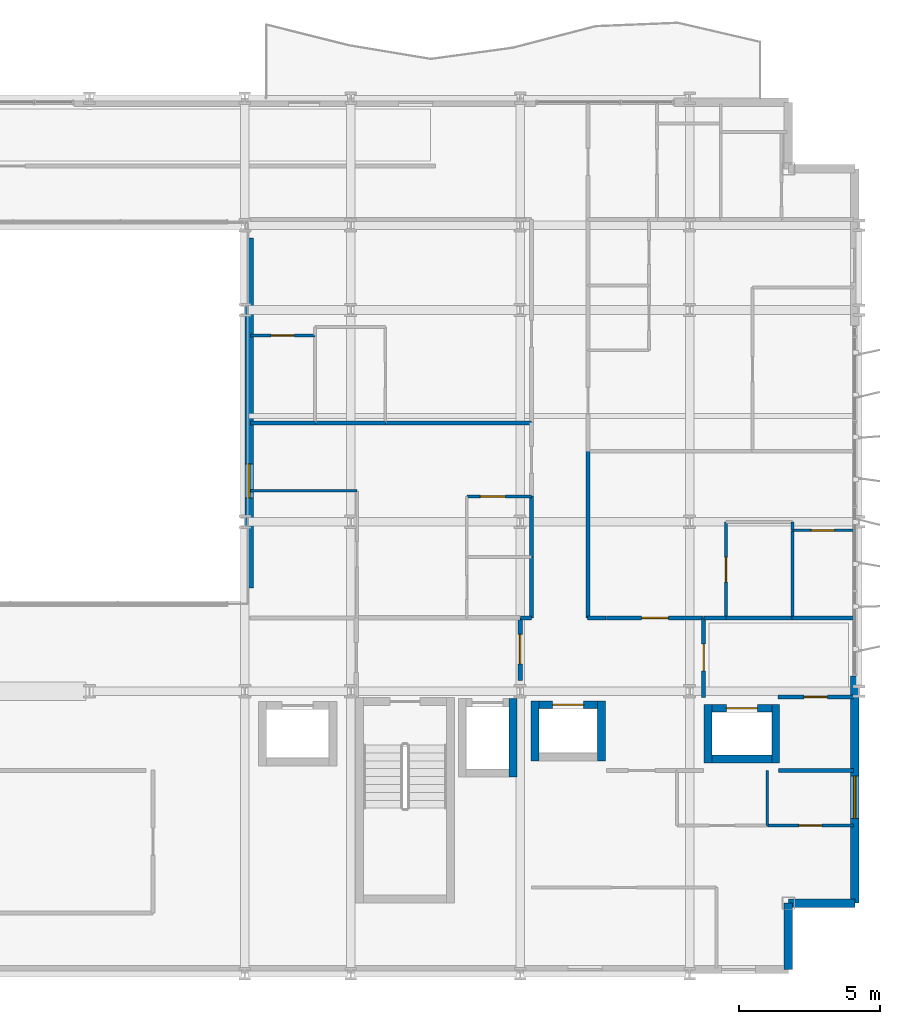
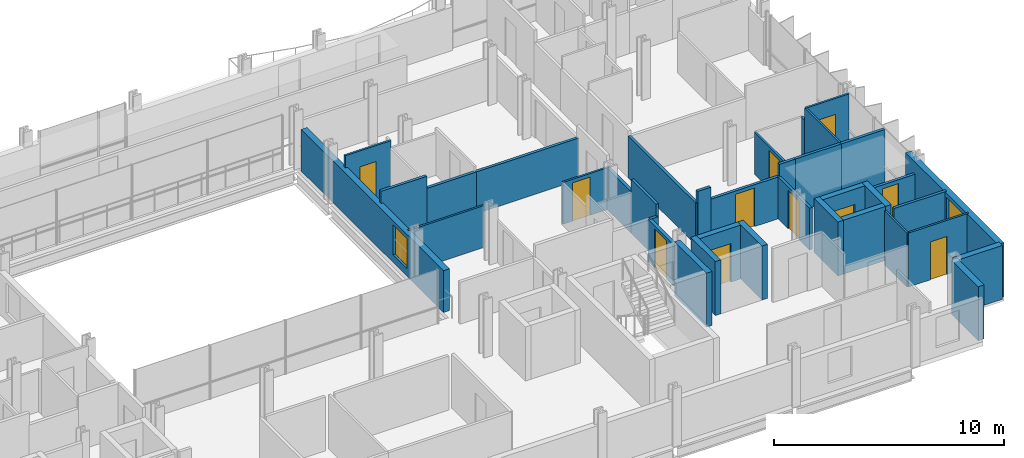
# One storey, part 31 of 38: 37 walls, 11 doors, 2 windows, 13 openings.
"""IFC4 building model written with IfcOpenShell, lengths in metres."""

from ifc_helpers import new_model, si_unit, direction, frame, frame_2d, origin, place, context, subcontext, project, spatial, rectangle, extrude, material, layer, layer_set, type_object, element, fill, save


model = new_model("IFC4")

# Units and contexts
model_context = context("Model", 3, precision=1e-05, world=origin(), true_north=direction((0.0, 1.0)))
body_context = subcontext(model_context, "Body", "Model", "MODEL_VIEW")
ifc_project = project(units=[si_unit("LENGTHUNIT", "METRE"), si_unit("AREAUNIT", "SQUARE_METRE"), si_unit("VOLUMEUNIT", "CUBIC_METRE"), si_unit("PLANEANGLEUNIT", "RADIAN"), si_unit("MASSUNIT", "GRAM", prefix="KILO")], contexts=[model_context])

# Site, building, storey
site_placement = place(None, origin())
site = spatial("IfcSite", under=ifc_project, at=site_placement, CompositionType="ELEMENT")
building_placement = place(site_placement, origin())
building = spatial("IfcBuilding", under=site, at=building_placement, Name="Brevholm Reach", CompositionType="ELEMENT")
storey_placement = place(building_placement, frame((0.0, 0.0, 52.800048828125)))
storey = spatial("IfcBuildingStorey", under=building, at=storey_placement, Name="L14", CompositionType="ELEMENT", Elevation=52.800048828125)

# Walls
ifc_material_1 = material(Name="Concrete C50/60", Category="concrete")
ifc_layer_1 = layer(ifc_material_1, 0.280029296875)
ifc_layer_set_1 = layer_set([ifc_layer_1], Name="Concrete C50/60")
wall_type_1 = type_object("IfcWallType", Name="WAL-COR-280", PredefinedType="SHEAR", material=ifc_layer_set_1)
wall_1_placement = place(storey_placement, frame((47.75, 6.9599609375, 0.0), z_axis=(0.0, 0.0, 1.0), x_axis=(0.0, 1.0, 0.0)))
element("IfcWall", 1, at=wall_1_placement, inside=storey, type_object=wall_type_1, Name="L14 Lift FFL-2 Shaft Wall E", PredefinedType="SHEAR", context=body_context, shape_type="SweptSolid", body=[
    extrude(rectangle(XDim=2.780029296875, YDim=0.280029296875, at=frame_2d((1.39013671875, 0.0))), origin(), (0.0, 0.0, 1.0), 2.869873046875),
])
for number, where, z_axis, x_axis, name in (
    (2, (48.52490234375, 7.534912109375, 0.0), (0.0, 0.0, 1.0), (0.0, 1.0, 0.0), "L14 Lift PL-L1 Shaft Wall W"),
    (3, (50.875, 7.534912109375, 0.0), (0.0, 0.0, 1.0), (0.0, 1.0, 0.0), "L14 Lift PL-L1 Shaft Wall E"),
):
    element("IfcWall", number, at=place(storey_placement, frame(where, z_axis=z_axis, x_axis=x_axis)), inside=storey, type_object=wall_type_1, Name=name, PredefinedType="SHEAR", context=body_context, shape_type="SweptSolid", body=[
        extrude(rectangle(XDim=2.130126953125, YDim=0.280029296875, at=frame_2d((1.06494140625, 0.0))), origin(), (0.0, 0.0, 1.0), 2.869873046875),
    ])

# Wall, opening, door
wall_2_placement = place(storey_placement, frame((48.6650390625, 9.52490234375, 0.0), z_axis=(0.0, 0.0, 1.0), x_axis=(1.0, 0.0, 0.0)))
wall_2 = element("IfcWall", 4, at=wall_2_placement, inside=storey, type_object=wall_type_1, Name="L14 Lift PL-L1 Shaft Wall N", PredefinedType="SHEAR", context=body_context, shape_type="SweptSolid", body=[
    extrude(rectangle(XDim=2.070068359375, YDim=0.280029296875, at=frame_2d((1.03515625, 0.0))), origin(), (0.0, 0.0, 1.0), 2.869873046875),
])
opening_1_placement = place(wall_2_placement, frame((0.485107421875, 0.0, 0.0)))
opening_1 = element("IfcOpeningElement", 5, at=opening_1_placement, cuts=wall_2, Name="Opening LD-PL-L1", PredefinedType="OPENING", context=body_context, shape_type="SweptSolid", body=[
    extrude(rectangle(XDim=1.10009765625, YDim=2.06005859375, at=frame_2d((0.550048828125, 1.030029296875))), frame((0.0, 0.14990234375, 0.0), z_axis=(0.0, -1.0, 0.0), x_axis=(1.0, 0.0, 0.0)), (0.0, 0.0, 1.0), 0.300048828125),
])
ifc_material_2 = material(Name="Brushed Stainless Steel Fire-Rated Sliding Lift Door", Category="steel")
door_type_1 = type_object("IfcDoorType", Name="DOR-LFT-1100", OperationType="NOTDEFINED", PredefinedType="DOOR", material=ifc_material_2)
door_1_placement = place(opening_1_placement, origin())
door_1 = element("IfcDoor", 6, at=door_1_placement, inside=storey, type_object=door_type_1, Name="L14 Lift PL-L1 Sliding Landing Door", OperationType="SLIDING_TO_RIGHT", OverallHeight=2.06005859375, OverallWidth=1.10009765625, PredefinedType="DOOR", context=body_context, shape_type="SweptSolid", body=[
    extrude(rectangle(XDim=1.10009765625, YDim=2.06005859375, at=frame_2d((0.550048828125, 1.030029296875))), frame((0.0, 0.02490234375, 0.0), z_axis=(0.0, -1.0, 0.0), x_axis=(1.0, 0.0, 0.0)), (0.0, 0.0, 1.0), 0.050048828125),
])
fill(opening_1, door_1)

# Walls
for number, where, z_axis, x_axis, name in (
    (7, (54.64990234375, 7.4599609375, 0.0), (0.0, 0.0, 1.0), (0.0, 1.0, 0.0), "L14 Lift PL-L2 Shaft Wall W"),
    (8, (57.050048828125, 7.4599609375, 0.0), (0.0, 0.0, 1.0), (0.0, 1.0, 0.0), "L14 Lift PL-L2 Shaft Wall E"),
):
    element("IfcWall", number, at=place(storey_placement, frame(where, z_axis=z_axis, x_axis=x_axis)), inside=storey, type_object=wall_type_1, Name=name, PredefinedType="SHEAR", context=body_context, shape_type="SweptSolid", body=[
        extrude(rectangle(XDim=2.080078125, YDim=0.280029296875, at=frame_2d((1.0400390625, 0.0))), origin(), (0.0, 0.0, 1.0), 2.869873046875),
    ])
wall_3_placement = place(storey_placement, frame((54.7900390625, 7.60009765625, 0.0), z_axis=(0.0, 0.0, 1.0), x_axis=(1.0, 0.0, 0.0)))
element("IfcWall", 9, at=wall_3_placement, inside=storey, type_object=wall_type_1, Name="L14 Lift PL-L2 Shaft Wall S", PredefinedType="SHEAR", context=body_context, shape_type="SweptSolid", body=[
    extrude(rectangle(XDim=2.119873046875, YDim=0.280029296875, at=frame_2d((1.06005859375, 0.0))), origin(), (0.0, 0.0, 1.0), 2.869873046875),
])

# Wall, opening, door
wall_4_placement = place(storey_placement, frame((54.7900390625, 9.39990234375, 0.0), z_axis=(0.0, 0.0, 1.0), x_axis=(1.0, 0.0, 0.0)))
wall_4 = element("IfcWall", 10, at=wall_4_placement, inside=storey, type_object=wall_type_1, Name="L14 Lift PL-L2 Shaft Wall N", PredefinedType="SHEAR", context=body_context, shape_type="SweptSolid", body=[
    extrude(rectangle(XDim=2.119873046875, YDim=0.280029296875, at=frame_2d((1.06005859375, 0.0))), origin(), (0.0, 0.0, 1.0), 2.869873046875),
])
opening_2_placement = place(wall_4_placement, frame((0.510009765625, 0.0, 0.0)))
opening_2 = element("IfcOpeningElement", 11, at=opening_2_placement, cuts=wall_4, Name="Opening LD-PL-L2", PredefinedType="OPENING", context=body_context, shape_type="SweptSolid", body=[
    extrude(rectangle(XDim=1.10009765625, YDim=2.06005859375, at=frame_2d((0.550048828125, 1.030029296875))), frame((0.0, 0.14990234375, 0.0), z_axis=(0.0, -1.0, 0.0), x_axis=(1.0, 0.0, 0.0)), (0.0, 0.0, 1.0), 0.300048828125),
])
door_2_placement = place(opening_2_placement, origin())
door_2 = element("IfcDoor", 12, at=door_2_placement, inside=storey, type_object=door_type_1, Name="L14 Lift PL-L2 Sliding Landing Door", OperationType="SLIDING_TO_LEFT", OverallHeight=2.06005859375, OverallWidth=1.10009765625, PredefinedType="DOOR", context=body_context, shape_type="SweptSolid", body=[
    extrude(rectangle(XDim=1.10009765625, YDim=2.06005859375, at=frame_2d((0.550048828125, 1.030029296875))), frame((0.0, 0.02490234375, 0.0), z_axis=(0.0, -1.0, 0.0), x_axis=(1.0, 0.0, 0.0)), (0.0, 0.0, 1.0), 0.050048828125),
])
fill(opening_2, door_2)

# Walls
ifc_material_3 = material(Name="Concrete C40/50", Category="concrete")
ifc_layer_2 = layer(ifc_material_3, 0.300048828125)
ifc_layer_set_2 = layer_set([ifc_layer_2], Name="Concrete C40/50")
wall_type_2 = type_object("IfcWallType", Name="WAL-EXT-300", PredefinedType="STANDARD", material=ifc_layer_set_2)
for number, where, z_axis, x_axis, name in (
    (13, (57.5, 0.14990234375, 0.0), (0.0, 0.0, 1.0), (0.0, 1.0, 0.0), "L14 Facade Wall WAL-L14-CSE1"),
    (14, (57.5, 2.5, 0.0), (0.0, 0.0, 1.0), (1.0, 0.0, 0.0), "L14 Facade Wall WAL-L14-CSE2"),
):
    element("IfcWall", number, at=place(storey_placement, frame(where, z_axis=z_axis, x_axis=x_axis)), inside=storey, type_object=wall_type_2, Name=name, PredefinedType="STANDARD", context=body_context, shape_type="SweptSolid", body=[
        extrude(rectangle(XDim=2.35009765625, YDim=0.300048828125, at=frame_2d((1.175048828125, 0.0))), origin(), (0.0, 0.0, 1.0), 2.869873046875),
    ])

# Wall, opening, window
wall_5_placement = place(storey_placement, frame((59.85009765625, 2.5, 0.0), z_axis=(0.0, 0.0, 1.0), x_axis=(0.0, 1.0, 0.0)))
wall_5 = element("IfcWall", 15, at=wall_5_placement, inside=storey, type_object=wall_type_2, Name="L14 Facade Wall WAL-L14-E-S", PredefinedType="STANDARD", context=body_context, shape_type="SweptSolid", body=[
    extrude(rectangle(XDim=8.050048828125, YDim=0.300048828125, at=frame_2d((4.02490234375, 0.0))), origin(), (0.0, 0.0, 1.0), 2.869873046875),
])
opening_3_placement = place(wall_5_placement, frame((3.0, 0.0, 0.85009765625)))
opening_3 = element("IfcOpeningElement", 16, at=opening_3_placement, cuts=wall_5, Name="Opening WN-05", PredefinedType="OPENING", context=body_context, shape_type="SweptSolid", body=[
    extrude(rectangle(XDim=1.5, YDim=1.800048828125, at=frame_2d((0.75, 0.89990234375))), frame((0.0, 0.159912109375, 0.0), z_axis=(0.0, -1.0, 0.0), x_axis=(1.0, 0.0, 0.0)), (0.0, 0.0, 1.0), 0.320068359375),
])
ifc_material_4 = material(Name="Dark Anodised Aluminium and Solar-Control IGU Glass", Category="aluminium")
window_type_1 = type_object("IfcWindowType", Name="WIN-RES-1500", PartitioningType="SINGLE_PANEL", PredefinedType="WINDOW", material=ifc_material_4)
window_1_placement = place(opening_3_placement, origin())
window_1 = element("IfcWindow", 17, at=window_1_placement, inside=storey, type_object=window_type_1, Name="L14 Window WIN-L14-ES-1", OverallHeight=1.800048828125, OverallWidth=1.5, PartitioningType="SINGLE_PANEL", PredefinedType="WINDOW", context=body_context, shape_type="SweptSolid", body=[
    extrude(rectangle(XDim=1.5, YDim=1.800048828125, at=frame_2d((0.75, 0.89990234375))), frame((0.0, 0.030029296875, 0.0), z_axis=(0.0, -1.0, 0.0), x_axis=(1.0, 0.0, 0.0)), (0.0, 0.0, 1.0), 0.06005859375),
])
fill(opening_3, window_1)

wall_6_placement = place(storey_placement, frame((38.39990234375, 13.64990234375, 0.0), z_axis=(0.0, 0.0, 1.0), x_axis=(0.0, 1.0, 0.0)))
wall_6 = element("IfcWall", 18, at=wall_6_placement, inside=storey, type_object=wall_type_2, Name="L14 Facade Wall WAL-L14-AT-E", PredefinedType="STANDARD", context=body_context, shape_type="SweptSolid", body=[
    extrude(rectangle(XDim=12.400146484375, YDim=0.300048828125, at=frame_2d((6.2001953125, 0.0))), origin(), (0.0, 0.0, 1.0), 2.224853515625),
])
opening_4_placement = place(wall_6_placement, frame((3.199951171875, 0.0, 0.405029296875)))
opening_4 = element("IfcOpeningElement", 19, at=opening_4_placement, cuts=wall_6, Name="Opening WN-08", PredefinedType="OPENING", context=body_context, shape_type="SweptSolid", body=[
    extrude(rectangle(XDim=1.199951171875, YDim=1.60009765625, at=frame_2d((0.60009765625, 0.800048828125))), frame((0.0, 0.159912109375, 0.0), z_axis=(0.0, -1.0, 0.0), x_axis=(1.0, 0.0, 0.0)), (0.0, 0.0, 1.0), 0.320068359375),
])
ifc_material_5 = material(Name="Dark Anodised Aluminium and Solar-Control IGU Glass", Category="aluminium")
window_type_2 = type_object("IfcWindowType", Name="WIN-RES-1200", PartitioningType="SINGLE_PANEL", PredefinedType="WINDOW", material=ifc_material_5)
window_2_placement = place(opening_4_placement, origin())
window_2 = element("IfcWindow", 20, at=window_2_placement, inside=storey, type_object=window_type_2, Name="L14 Window WIN-L14-AT-E1", OverallHeight=1.60009765625, OverallWidth=1.199951171875, PartitioningType="SINGLE_PANEL", PredefinedType="WINDOW", context=body_context, shape_type="SweptSolid", body=[
    extrude(rectangle(XDim=1.199951171875, YDim=1.60009765625, at=frame_2d((0.60009765625, 0.800048828125))), frame((0.0, 0.030029296875, 0.0), z_axis=(0.0, -1.0, 0.0), x_axis=(1.0, 0.0, 0.0)), (0.0, 0.0, 1.0), 0.06005859375),
])
fill(opening_4, window_2)

# Wall
ifc_material_6 = material(Name="Moisture-Resistant Acoustic Gypsum Stud Partition 100 mm", Category="gypsum")
ifc_layer_3 = layer(ifc_material_6, 0.10009765625)
ifc_layer_set_3 = layer_set([ifc_layer_3], Name="Moisture-Resistant Acoustic Gypsum Stud Partition 100 mm")
wall_type_3 = type_object("IfcWallType", Name="WAL-PRT-100", PredefinedType="PARTITIONING", material=ifc_layer_set_3)
wall_7_placement = place(storey_placement, frame((56.75, 5.25, 0.0), z_axis=(0.0, 0.0, 1.0), x_axis=(0.0, 1.0, 0.0)))
element("IfcWall", 21, at=wall_7_placement, inside=storey, type_object=wall_type_3, Name="L14 Internal Partition 073", PredefinedType="PARTITIONING", context=body_context, shape_type="SweptSolid", body=[
    extrude(rectangle(XDim=1.949951171875, YDim=0.10009765625, at=frame_2d((0.97509765625, 0.0))), origin(), (0.0, 0.0, 1.0), 2.869873046875),
])

# Wall, opening, door
wall_8_placement = place(storey_placement, frame((56.75, 5.25, 0.0), z_axis=(0.0, 0.0, 1.0), x_axis=(1.0, 0.0, 0.0)))
wall_8 = element("IfcWall", 22, at=wall_8_placement, inside=storey, type_object=wall_type_3, Name="L14 Internal Partition 074", PredefinedType="PARTITIONING", context=body_context, shape_type="SweptSolid", body=[
    extrude(rectangle(XDim=3.050048828125, YDim=0.10009765625, at=frame_2d((1.52490234375, 0.0))), origin(), (0.0, 0.0, 1.0), 2.869873046875),
])
opening_5_placement = place(wall_8_placement, frame((1.114990234375, 0.0, 0.0)))
opening_5 = element("IfcOpeningElement", 23, at=opening_5_placement, cuts=wall_8, Name="Opening ID-03", PredefinedType="OPENING", context=body_context, shape_type="SweptSolid", body=[
    extrude(rectangle(XDim=0.820068359375, YDim=2.02001953125, at=frame_2d((0.41015625, 1.010009765625))), frame((0.0, 0.06005859375, 0.0), z_axis=(0.0, -1.0, 0.0), x_axis=(1.0, 0.0, 0.0)), (0.0, 0.0, 1.0), 0.1201171875),
])
ifc_material_7 = material(Name="Moisture-Resistant Painted Timber Internal Bathroom Door", Category="wood")
door_type_2 = type_object("IfcDoorType", Name="DOR-BATH-820", OperationType="NOTDEFINED", PredefinedType="DOOR", material=ifc_material_7)
door_3_placement = place(opening_5_placement, origin())
door_3 = element("IfcDoor", 24, at=door_3_placement, inside=storey, type_object=door_type_2, Name="L14 Internal Door 030", OperationType="SINGLE_SWING_RIGHT", OverallHeight=2.02001953125, OverallWidth=0.820068359375, PredefinedType="DOOR", context=body_context, shape_type="SweptSolid", body=[
    extrude(rectangle(XDim=0.820068359375, YDim=2.02001953125, at=frame_2d((0.41015625, 1.010009765625))), frame((0.0, 0.02490234375, 0.0), z_axis=(0.0, -1.0, 0.0), x_axis=(1.0, 0.0, 0.0)), (0.0, 0.0, 1.0), 0.050048828125),
])
fill(opening_5, door_3)

wall_9_placement = place(storey_placement, frame((46.112060546875, 16.89990234375, 0.0), z_axis=(0.0, 0.0, 1.0), x_axis=(1.0, 0.0, 0.0)))
wall_9 = element("IfcWall", 25, at=wall_9_placement, inside=storey, type_object=wall_type_3, Name="L14 Internal Partition 112", PredefinedType="PARTITIONING", context=body_context, shape_type="SweptSolid", body=[
    extrude(rectangle(XDim=2.283935546875, YDim=0.10009765625, at=frame_2d((1.14208984375, 0.0))), origin(), (0.0, 0.0, 1.0), 2.224853515625),
])
opening_6_placement = place(wall_9_placement, frame((0.48193359375, 0.0, 0.0)))
opening_6 = element("IfcOpeningElement", 26, at=opening_6_placement, cuts=wall_9, Name="Opening ID-01", PredefinedType="OPENING", context=body_context, shape_type="SweptSolid", body=[
    extrude(rectangle(XDim=0.8798828125, YDim=2.0400390625, at=frame_2d((0.43994140625, 1.02001953125))), frame((0.0, 0.06005859375, 0.0), z_axis=(0.0, -1.0, 0.0), x_axis=(1.0, 0.0, 0.0)), (0.0, 0.0, 1.0), 0.1201171875),
])
ifc_material_8 = material(Name="Lacquered Ash Solid-Core Acoustic Internal Door", Category="timber")
door_type_3 = type_object("IfcDoorType", Name="DOR-INT-880", OperationType="NOTDEFINED", PredefinedType="DOOR", material=ifc_material_8)
door_4_placement = place(opening_6_placement, origin())
door_4 = element("IfcDoor", 27, at=door_4_placement, inside=storey, type_object=door_type_3, Name="L14 Internal Door 044", OperationType="SINGLE_SWING_RIGHT", OverallHeight=2.0400390625, OverallWidth=0.8798828125, PredefinedType="DOOR", context=body_context, shape_type="SweptSolid", body=[
    extrude(rectangle(XDim=0.8798828125, YDim=2.0400390625, at=frame_2d((0.43994140625, 1.02001953125))), frame((0.0, 0.02490234375, 0.0), z_axis=(0.0, -1.0, 0.0), x_axis=(1.0, 0.0, 0.0)), (0.0, 0.0, 1.0), 0.050048828125),
])
fill(opening_6, door_4)

# Wall
wall_10_placement = place(storey_placement, frame((38.449951171875, 17.10009765625, 0.0), z_axis=(0.0, 0.0, 1.0), x_axis=(1.0, 0.0, 0.0)))
element("IfcWall", 28, at=wall_10_placement, inside=storey, type_object=wall_type_3, Name="L14 Internal Partition 115", PredefinedType="PARTITIONING", context=body_context, shape_type="SweptSolid", body=[
    extrude(rectangle(XDim=3.781005859375, YDim=0.10009765625, at=frame_2d((1.890625, 0.0))), origin(), (0.0, 0.0, 1.0), 2.224853515625),
])

# Wall, opening, door
wall_11_placement = place(storey_placement, frame((38.449951171875, 22.60009765625, 0.0), z_axis=(0.0, 0.0, 1.0), x_axis=(1.0, 0.0, 0.0)))
wall_11 = element("IfcWall", 29, at=wall_11_placement, inside=storey, type_object=wall_type_3, Name="L14 Internal Partition 120", PredefinedType="PARTITIONING", context=body_context, shape_type="SweptSolid", body=[
    extrude(rectangle(XDim=2.2880859375, YDim=0.10009765625, at=frame_2d((1.14404296875, 0.0))), origin(), (0.0, 0.0, 1.0), 2.869873046875),
])
opening_7_placement = place(wall_11_placement, frame((0.73388671875, 0.0, 0.0)))
opening_7 = element("IfcOpeningElement", 30, at=opening_7_placement, cuts=wall_11, Name="Opening ID-03", PredefinedType="OPENING", context=body_context, shape_type="SweptSolid", body=[
    extrude(rectangle(XDim=0.820068359375, YDim=2.02001953125, at=frame_2d((0.41015625, 1.010009765625))), frame((0.0, 0.06005859375, 0.0), z_axis=(0.0, -1.0, 0.0), x_axis=(1.0, 0.0, 0.0)), (0.0, 0.0, 1.0), 0.1201171875),
])
door_5_placement = place(opening_7_placement, origin())
door_5 = element("IfcDoor", 31, at=door_5_placement, inside=storey, type_object=door_type_2, Name="L14 Internal Door 046", OperationType="SINGLE_SWING_RIGHT", OverallHeight=2.02001953125, OverallWidth=0.820068359375, PredefinedType="DOOR", context=body_context, shape_type="SweptSolid", body=[
    extrude(rectangle(XDim=0.820068359375, YDim=2.02001953125, at=frame_2d((0.41015625, 1.010009765625))), frame((0.0, 0.02490234375, 0.0), z_axis=(0.0, -1.0, 0.0), x_axis=(1.0, 0.0, 0.0)), (0.0, 0.0, 1.0), 0.050048828125),
])
fill(opening_7, door_5)

# Wall
wall_12_placement = place(storey_placement, frame((57.637939453125, 12.60400390625, 0.0), z_axis=(0.0, 0.0, 1.0), x_axis=(0.0, 1.0, 0.0)))
element("IfcWall", 32, at=wall_12_placement, inside=storey, type_object=wall_type_3, Name="L14 Internal Partition 124", PredefinedType="PARTITIONING", context=body_context, shape_type="SweptSolid", body=[
    extrude(rectangle(XDim=3.095947265625, YDim=0.10009765625, at=frame_2d((1.5478515625, 0.0))), origin(), (0.0, 0.0, 1.0), 2.869873046875),
])

# Wall, opening, door
wall_13_placement = place(storey_placement, frame((57.637939453125, 15.699951171875, 0.0), z_axis=(0.0, 0.0, 1.0), x_axis=(1.0, 0.0, 0.0)))
wall_13 = element("IfcWall", 33, at=wall_13_placement, inside=storey, type_object=wall_type_3, Name="L14 Internal Partition 125", PredefinedType="PARTITIONING", context=body_context, shape_type="SweptSolid", body=[
    extrude(rectangle(XDim=2.162109375, YDim=0.10009765625, at=frame_2d((1.0810546875, 0.0))), origin(), (0.0, 0.0, 1.0), 2.869873046875),
])
opening_8_placement = place(wall_13_placement, frame((0.6708984375, 0.0, 0.0)))
opening_8 = element("IfcOpeningElement", 34, at=opening_8_placement, cuts=wall_13, Name="Opening ID-03", PredefinedType="OPENING", context=body_context, shape_type="SweptSolid", body=[
    extrude(rectangle(XDim=0.820068359375, YDim=2.02001953125, at=frame_2d((0.41015625, 1.010009765625))), frame((0.0, 0.06005859375, 0.0), z_axis=(0.0, -1.0, 0.0), x_axis=(1.0, 0.0, 0.0)), (0.0, 0.0, 1.0), 0.1201171875),
])
door_6_placement = place(opening_8_placement, origin())
door_6 = element("IfcDoor", 35, at=door_6_placement, inside=storey, type_object=door_type_2, Name="L14 Internal Door 048", OperationType="SINGLE_SWING_RIGHT", OverallHeight=2.02001953125, OverallWidth=0.820068359375, PredefinedType="DOOR", context=body_context, shape_type="SweptSolid", body=[
    extrude(rectangle(XDim=0.820068359375, YDim=2.02001953125, at=frame_2d((0.41015625, 1.010009765625))), frame((0.0, 0.02490234375, 0.0), z_axis=(0.0, -1.0, 0.0), x_axis=(1.0, 0.0, 0.0)), (0.0, 0.0, 1.0), 0.050048828125),
])
fill(opening_8, door_6)

# Wall
wall_14_placement = place(storey_placement, frame((57.637939453125, 15.7041015625, 0.0), z_axis=(0.0, 0.0, 1.0), x_axis=(0.0, 1.0, 0.0)))
element("IfcWall", 36, at=wall_14_placement, inside=storey, type_object=wall_type_3, Name="L14 Internal Partition 126", PredefinedType="PARTITIONING", context=body_context, shape_type="SweptSolid", body=[
    extrude(rectangle(XDim=0.2958984375, YDim=0.10009765625, at=frame_2d((0.14794921875, 0.0))), origin(), (0.0, 0.0, 1.0), 2.224853515625),
])

# Wall, opening, door
wall_15_placement = place(storey_placement, frame((55.2880859375, 12.60400390625, 0.0), z_axis=(0.0, 0.0, 1.0), x_axis=(0.0, 1.0, 0.0)))
wall_15 = element("IfcWall", 37, at=wall_15_placement, inside=storey, type_object=wall_type_3, Name="L14 Internal Partition 128", PredefinedType="PARTITIONING", context=body_context, shape_type="SweptSolid", body=[
    extrude(rectangle(XDim=3.39599609375, YDim=0.10009765625, at=frame_2d((1.697998046875, 0.0))), origin(), (0.0, 0.0, 1.0), 2.224853515625),
])
opening_9_placement = place(wall_15_placement, frame((1.258056640625, 0.0, 0.0)))
opening_9 = element("IfcOpeningElement", 38, at=opening_9_placement, cuts=wall_15, Name="Opening ID-01", PredefinedType="OPENING", context=body_context, shape_type="SweptSolid", body=[
    extrude(rectangle(XDim=0.8798828125, YDim=2.0400390625, at=frame_2d((0.43994140625, 1.02001953125))), frame((0.0, 0.06005859375, 0.0), z_axis=(0.0, -1.0, 0.0), x_axis=(1.0, 0.0, 0.0)), (0.0, 0.0, 1.0), 0.1201171875),
])
door_7_placement = place(opening_9_placement, origin())
door_7 = element("IfcDoor", 39, at=door_7_placement, inside=storey, type_object=door_type_3, Name="L14 Internal Door 049", OperationType="SINGLE_SWING_LEFT", OverallHeight=2.0400390625, OverallWidth=0.8798828125, PredefinedType="DOOR", context=body_context, shape_type="SweptSolid", body=[
    extrude(rectangle(XDim=0.8798828125, YDim=2.0400390625, at=frame_2d((0.43994140625, 1.02001953125))), frame((0.0, 0.02490234375, 0.0), z_axis=(0.0, -1.0, 0.0), x_axis=(1.0, 0.0, 0.0)), (0.0, 0.0, 1.0), 0.050048828125),
])
fill(opening_9, door_7)

ifc_material_9 = material(Name="Twin-Stud Acoustic Fire-Rated Gypsum Partition 140 mm", Category="gypsum")
ifc_layer_4 = layer(ifc_material_9, 0.139892578125)
ifc_layer_set_4 = layer_set([ifc_layer_4], Name="Twin-Stud Acoustic Fire-Rated Gypsum Partition 140 mm")
wall_type_4 = type_object("IfcWallType", Name="WAL-PRT-140", PredefinedType="PARTITIONING", material=ifc_layer_set_4)
wall_16_placement = place(storey_placement, frame((54.5, 9.788818359375, 0.0), z_axis=(0.0, 0.0, 1.0), x_axis=(0.0, 1.0, 0.0)))
wall_16 = element("IfcWall", 40, at=wall_16_placement, inside=storey, type_object=wall_type_4, Name="L14 Internal Partition 013", PredefinedType="PARTITIONING", context=body_context, shape_type="SweptSolid", body=[
    extrude(rectangle(XDim=2.811279296875, YDim=0.139892578125, at=frame_2d((1.40576171875, 0.0))), origin(), (0.0, 0.0, 1.0), 2.224853515625),
])
opening_10_placement = place(wall_16_placement, frame((0.9306640625, 0.0, 0.0)))
opening_10 = element("IfcOpeningElement", 41, at=opening_10_placement, cuts=wall_16, Name="Opening ID-30", PredefinedType="OPENING", context=body_context, shape_type="SweptSolid", body=[
    extrude(rectangle(XDim=0.949951171875, YDim=2.050048828125, at=frame_2d((0.47509765625, 1.02490234375))), frame((0.0, 0.079833984375, 0.0), z_axis=(0.0, -1.0, 0.0), x_axis=(1.0, 0.0, 0.0)), (0.0, 0.0, 1.0), 0.159912109375),
])
ifc_material_10 = material(Name="European Oak Veneered Solid-Core Fire Entrance Door", Category="timber")
door_type_4 = type_object("IfcDoorType", Name="DOR-FLT-FD30S", OperationType="NOTDEFINED", PredefinedType="DOOR", material=ifc_material_10)
door_8_placement = place(opening_10_placement, origin())
door_8 = element("IfcDoor", 42, at=door_8_placement, inside=storey, type_object=door_type_4, Name="L14 Internal Door 008", OperationType="SINGLE_SWING_RIGHT", OverallHeight=2.050048828125, OverallWidth=0.949951171875, PredefinedType="DOOR", context=body_context, shape_type="SweptSolid", body=[
    extrude(rectangle(XDim=0.949951171875, YDim=2.050048828125, at=frame_2d((0.47509765625, 1.02490234375))), frame((0.0, 0.02490234375, 0.0), z_axis=(0.0, -1.0, 0.0), x_axis=(1.0, 0.0, 0.0)), (0.0, 0.0, 1.0), 0.050048828125),
])
fill(opening_10, door_8)

wall_17_placement = place(storey_placement, frame((51.050048828125, 12.60009765625, 0.0), z_axis=(0.0, 0.0, 1.0), x_axis=(1.0, 0.0, 0.0)))
wall_17 = element("IfcWall", 43, at=wall_17_placement, inside=storey, type_object=wall_type_4, Name="L14 Internal Partition 016", PredefinedType="PARTITIONING", context=body_context, shape_type="SweptSolid", body=[
    extrude(rectangle(XDim=3.449951171875, YDim=0.139892578125, at=frame_2d((1.72509765625, 0.0))), origin(), (0.0, 0.0, 1.0), 2.224853515625),
])
opening_11_placement = place(wall_17_placement, frame((1.25, 0.0, 0.0)))
opening_11 = element("IfcOpeningElement", 44, at=opening_11_placement, cuts=wall_17, Name="Opening ID-30", PredefinedType="OPENING", context=body_context, shape_type="SweptSolid", body=[
    extrude(rectangle(XDim=0.949951171875, YDim=2.050048828125, at=frame_2d((0.47509765625, 1.02490234375))), frame((0.0, 0.079833984375, 0.0), z_axis=(0.0, -1.0, 0.0), x_axis=(1.0, 0.0, 0.0)), (0.0, 0.0, 1.0), 0.159912109375),
])
door_9_placement = place(opening_11_placement, origin())
door_9 = element("IfcDoor", 45, at=door_9_placement, inside=storey, type_object=door_type_4, Name="L14 Internal Door 010", OperationType="SINGLE_SWING_RIGHT", OverallHeight=2.050048828125, OverallWidth=0.949951171875, PredefinedType="DOOR", context=body_context, shape_type="SweptSolid", body=[
    extrude(rectangle(XDim=0.949951171875, YDim=2.050048828125, at=frame_2d((0.47509765625, 1.02490234375))), frame((0.0, 0.02490234375, 0.0), z_axis=(0.0, -1.0, 0.0), x_axis=(1.0, 0.0, 0.0)), (0.0, 0.0, 1.0), 0.050048828125),
])
fill(opening_11, door_9)

# Walls
wall_18_placement = place(storey_placement, frame((48.00390625, 12.60009765625, 0.0), z_axis=(0.0, 0.0, 1.0), x_axis=(1.0, 0.0, 0.0)))
element("IfcWall", 46, at=wall_18_placement, inside=storey, type_object=wall_type_4, Name="L14 Internal Partition 032", PredefinedType="PARTITIONING", context=body_context, shape_type="SweptSolid", body=[
    extrude(rectangle(XDim=0.4033203125, YDim=0.139892578125, at=frame_2d((0.20166015625, 0.0))), origin(), (0.0, 0.0, 1.0), 2.224853515625),
])
wall_19_placement = place(storey_placement, frame((50.392578125, 12.60009765625, 0.0), z_axis=(0.0, 0.0, 1.0), x_axis=(1.0, 0.0, 0.0)))
element("IfcWall", 47, at=wall_19_placement, inside=storey, type_object=wall_type_4, Name="L14 Internal Partition 033", PredefinedType="PARTITIONING", context=body_context, shape_type="SweptSolid", body=[
    extrude(rectangle(XDim=0.6533203125, YDim=0.139892578125, at=frame_2d((0.32666015625, 0.0))), origin(), (0.0, 0.0, 1.0), 2.869873046875),
])
wall_20_placement = place(storey_placement, frame((48.39990234375, 12.60400390625, 0.0), z_axis=(0.0, 0.0, 1.0), x_axis=(0.0, 1.0, 0.0)))
element("IfcWall", 48, at=wall_20_placement, inside=storey, type_object=wall_type_4, Name="L14 Internal Partition 043", PredefinedType="PARTITIONING", context=body_context, shape_type="SweptSolid", body=[
    extrude(rectangle(XDim=2.1572265625, YDim=0.139892578125, at=frame_2d((1.07861328125, 0.0))), origin(), (0.0, 0.0, 1.0), 2.869873046875),
])
wall_21_placement = place(storey_placement, frame((48.39990234375, 14.74267578125, 0.0), z_axis=(0.0, 0.0, 1.0), x_axis=(0.0, 1.0, 0.0)))
element("IfcWall", 49, at=wall_21_placement, inside=storey, type_object=wall_type_4, Name="L14 Internal Partition 044", PredefinedType="PARTITIONING", context=body_context, shape_type="SweptSolid", body=[
    extrude(rectangle(XDim=2.168701171875, YDim=0.139892578125, at=frame_2d((1.08447265625, 0.0))), origin(), (0.0, 0.0, 1.0), 2.224853515625),
])
wall_22_placement = place(storey_placement, frame((50.39990234375, 12.60400390625, 0.0), z_axis=(0.0, 0.0, 1.0), x_axis=(0.0, 1.0, 0.0)))
element("IfcWall", 50, at=wall_22_placement, inside=storey, type_object=wall_type_4, Name="L14 Internal Partition 047", PredefinedType="PARTITIONING", context=body_context, shape_type="SweptSolid", body=[
    extrude(rectangle(XDim=5.9072265625, YDim=0.139892578125, at=frame_2d((2.95361328125, 0.0))), origin(), (0.0, 0.0, 1.0), 2.224853515625),
])

# Wall, opening, door
wall_23_placement = place(storey_placement, frame((57.138671875, 9.800048828125, 0.0), z_axis=(0.0, 0.0, 1.0), x_axis=(1.0, 0.0, 0.0)))
wall_23 = element("IfcWall", 51, at=wall_23_placement, inside=storey, type_object=wall_type_4, Name="L14 Internal Partition 068", PredefinedType="PARTITIONING", context=body_context, shape_type="SweptSolid", body=[
    extrude(rectangle(XDim=2.661376953125, YDim=0.139892578125, at=frame_2d((1.33056640625, 0.0))), origin(), (0.0, 0.0, 1.0), 2.224853515625),
])
opening_12_placement = place(wall_23_placement, frame((0.920654296875, 0.0, 0.0)))
opening_12 = element("IfcOpeningElement", 52, at=opening_12_placement, cuts=wall_23, Name="Opening ID-02", PredefinedType="OPENING", context=body_context, shape_type="SweptSolid", body=[
    extrude(rectangle(XDim=0.820068359375, YDim=2.02001953125, at=frame_2d((0.41015625, 1.010009765625))), frame((0.0, 0.079833984375, 0.0), z_axis=(0.0, -1.0, 0.0), x_axis=(1.0, 0.0, 0.0)), (0.0, 0.0, 1.0), 0.159912109375),
])
ifc_material_11 = material(Name="Moisture-Resistant Painted Timber Fire-Rated Riser and Service Door", Category="wood")
door_type_5 = type_object("IfcDoorType", Name="DOR-SRV-820", OperationType="NOTDEFINED", PredefinedType="DOOR", material=ifc_material_11)
door_10_placement = place(opening_12_placement, origin())
door_10 = element("IfcDoor", 53, at=door_10_placement, inside=storey, type_object=door_type_5, Name="L14 Access Door 057", OperationType="SINGLE_SWING_LEFT", OverallHeight=2.02001953125, OverallWidth=0.820068359375, PredefinedType="DOOR", context=body_context, shape_type="SweptSolid", body=[
    extrude(rectangle(XDim=0.820068359375, YDim=2.02001953125, at=frame_2d((0.41015625, 1.010009765625))), frame((0.0, 0.02490234375, 0.0), z_axis=(0.0, -1.0, 0.0), x_axis=(1.0, 0.0, 0.0)), (0.0, 0.0, 1.0), 0.050048828125),
])
fill(opening_12, door_10)

# Walls
wall_24_placement = place(storey_placement, frame((57.626708984375, 12.60009765625, 0.0), z_axis=(0.0, 0.0, 1.0), x_axis=(1.0, 0.0, 0.0)))
element("IfcWall", 54, at=wall_24_placement, inside=storey, type_object=wall_type_4, Name="L14 Internal Partition 069", PredefinedType="PARTITIONING", context=body_context, shape_type="SweptSolid", body=[
    extrude(rectangle(XDim=2.17333984375, YDim=0.139892578125, at=frame_2d((1.086669921875, 0.0))), origin(), (0.0, 0.0, 1.0), 2.869873046875),
])
wall_25_placement = place(storey_placement, frame((55.276611328125, 12.60009765625, 0.0), z_axis=(0.0, 0.0, 1.0), x_axis=(1.0, 0.0, 0.0)))
element("IfcWall", 55, at=wall_25_placement, inside=storey, type_object=wall_type_4, Name="L14 Internal Partition 070", PredefinedType="PARTITIONING", context=body_context, shape_type="SweptSolid", body=[
    extrude(rectangle(XDim=2.36865234375, YDim=0.139892578125, at=frame_2d((1.184326171875, 0.0))), origin(), (0.0, 0.0, 1.0), 2.869873046875),
])
wall_26_placement = place(storey_placement, frame((54.50390625, 12.60009765625, 0.0), z_axis=(0.0, 0.0, 1.0), x_axis=(1.0, 0.0, 0.0)))
element("IfcWall", 56, at=wall_26_placement, inside=storey, type_object=wall_type_4, Name="L14 Internal Partition 071", PredefinedType="PARTITIONING", context=body_context, shape_type="SweptSolid", body=[
    extrude(rectangle(XDim=0.79150390625, YDim=0.139892578125, at=frame_2d((0.395751953125, 0.0))), origin(), (0.0, 0.0, 1.0), 2.869873046875),
])
wall_27_placement = place(storey_placement, frame((57.14990234375, 7.199951171875, 0.0), z_axis=(0.0, 0.0, 1.0), x_axis=(1.0, 0.0, 0.0)))
element("IfcWall", 57, at=wall_27_placement, inside=storey, type_object=wall_type_4, Name="L14 Internal Partition 072", PredefinedType="PARTITIONING", context=body_context, shape_type="SweptSolid", body=[
    extrude(rectangle(XDim=2.650146484375, YDim=0.139892578125, at=frame_2d((1.3251953125, 0.0))), origin(), (0.0, 0.0, 1.0), 2.869873046875),
])
wall_28_placement = place(storey_placement, frame((38.449951171875, 19.5, 0.0), z_axis=(0.0, 0.0, 1.0), x_axis=(1.0, 0.0, 0.0)))
element("IfcWall", 58, at=wall_28_placement, inside=storey, type_object=wall_type_4, Name="L14 Internal Partition 116", PredefinedType="PARTITIONING", context=body_context, shape_type="SweptSolid", body=[
    extrude(rectangle(XDim=2.29931640625, YDim=0.139892578125, at=frame_2d((1.149658203125, 0.0))), origin(), (0.0, 0.0, 1.0), 2.869873046875),
])
wall_29_placement = place(storey_placement, frame((40.730712890625, 19.5, 0.0), z_axis=(0.0, 0.0, 1.0), x_axis=(1.0, 0.0, 0.0)))
element("IfcWall", 59, at=wall_29_placement, inside=storey, type_object=wall_type_4, Name="L14 Internal Partition 117", PredefinedType="PARTITIONING", context=body_context, shape_type="SweptSolid", body=[
    extrude(rectangle(XDim=2.505615234375, YDim=0.139892578125, at=frame_2d((1.2529296875, 0.0))), origin(), (0.0, 0.0, 1.0), 2.224853515625),
])
wall_30_placement = place(storey_placement, frame((43.2177734375, 19.5, 0.0), z_axis=(0.0, 0.0, 1.0), x_axis=(1.0, 0.0, 0.0)))
element("IfcWall", 60, at=wall_30_placement, inside=storey, type_object=wall_type_4, Name="L14 Internal Partition 118", PredefinedType="PARTITIONING", context=body_context, shape_type="SweptSolid", body=[
    extrude(rectangle(XDim=5.17822265625, YDim=0.139892578125, at=frame_2d((2.589111328125, 0.0))), origin(), (0.0, 0.0, 1.0), 2.224853515625),
])

# Wall, opening, door
ifc_material_12 = material(Name="Twin-Frame Fire-Rated Gypsum Board and Mineral Wool 160 mm", Category="gypsum")
ifc_layer_5 = layer(ifc_material_12, 0.159912109375)
ifc_layer_set_5 = layer_set([ifc_layer_5], Name="Twin-Frame Fire-Rated Gypsum Board and Mineral Wool 160 mm")
wall_type_5 = type_object("IfcWallType", Name="WAL-PRT-160", PredefinedType="PARTITIONING", material=ifc_layer_set_5)
wall_31_placement = place(storey_placement, frame((48.0, 10.388671875, 0.0), z_axis=(0.0, 0.0, 1.0), x_axis=(0.0, 1.0, 0.0)))
wall_31 = element("IfcWall", 61, at=wall_31_placement, inside=storey, type_object=wall_type_5, Name="L14 Internal Partition 024", PredefinedType="PARTITIONING", context=body_context, shape_type="SweptSolid", body=[
    extrude(rectangle(XDim=2.21142578125, YDim=0.159912109375, at=frame_2d((1.105712890625, 0.0))), origin(), (0.0, 0.0, 1.0), 2.224853515625),
])
opening_13_placement = place(wall_31_placement, frame((0.58056640625, 0.0, 0.0)))
opening_13 = element("IfcOpeningElement", 62, at=opening_13_placement, cuts=wall_31, Name="Opening FD-01", PredefinedType="OPENING", context=body_context, shape_type="SweptSolid", body=[
    extrude(rectangle(XDim=1.050048828125, YDim=2.06005859375, at=frame_2d((0.52490234375, 1.030029296875))), frame((0.0, 0.08984375, 0.0), z_axis=(0.0, -1.0, 0.0), x_axis=(1.0, 0.0, 0.0)), (0.0, 0.0, 1.0), 0.179931640625),
])
ifc_material_13 = material(Name="Hardwood-Lipped Steel-Core Fire and Smoke Door", Category="steel")
door_type_6 = type_object("IfcDoorType", Name="DOR-INT-FD60S", OperationType="NOTDEFINED", PredefinedType="DOOR", material=ifc_material_13)
door_11_placement = place(opening_13_placement, origin())
door_11 = element("IfcDoor", 63, at=door_11_placement, inside=storey, type_object=door_type_6, Name="L14 Internal Door 014", OperationType="SINGLE_SWING_RIGHT", OverallHeight=2.06005859375, OverallWidth=1.050048828125, PredefinedType="DOOR", context=body_context, shape_type="SweptSolid", body=[
    extrude(rectangle(XDim=1.050048828125, YDim=2.06005859375, at=frame_2d((0.52490234375, 1.030029296875))), frame((0.0, 0.02490234375, 0.0), z_axis=(0.0, -1.0, 0.0), x_axis=(1.0, 0.0, 0.0)), (0.0, 0.0, 1.0), 0.050048828125),
])
fill(opening_13, door_11)

save(model, "model.ifc")
